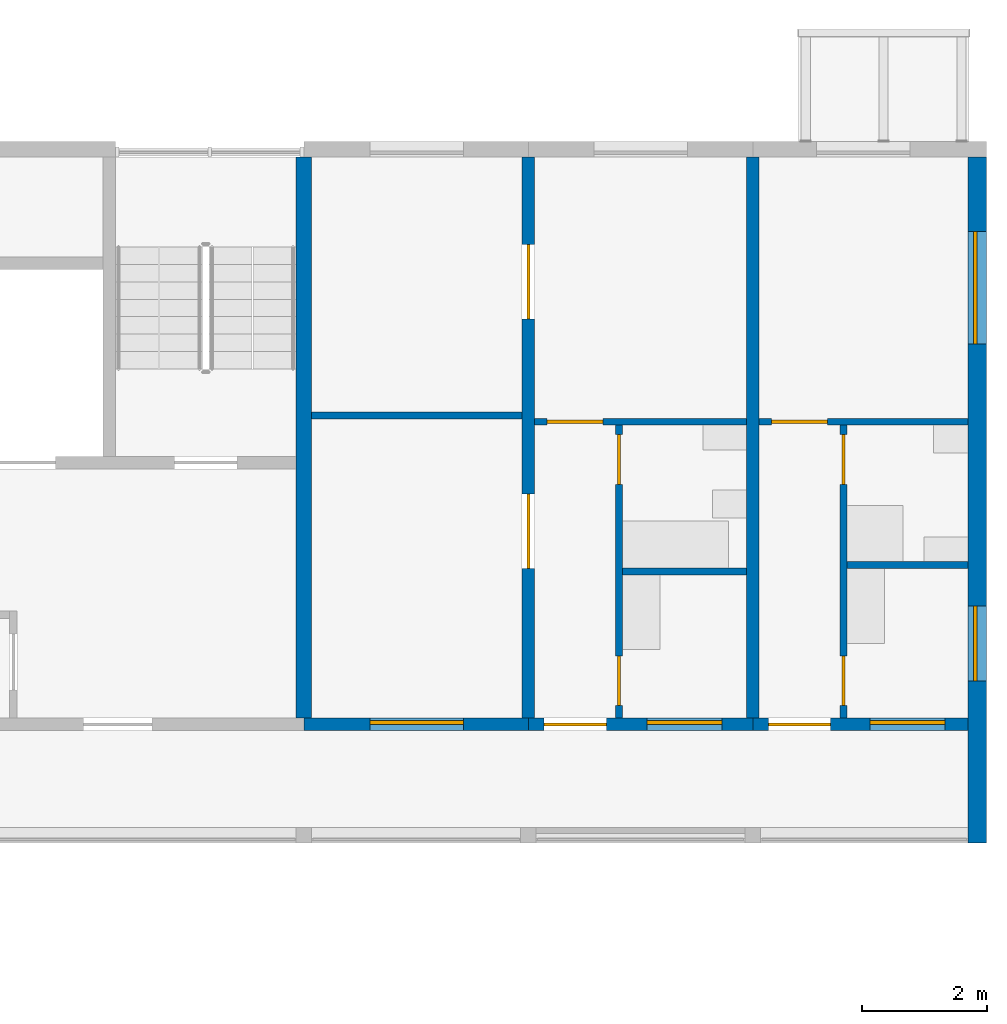
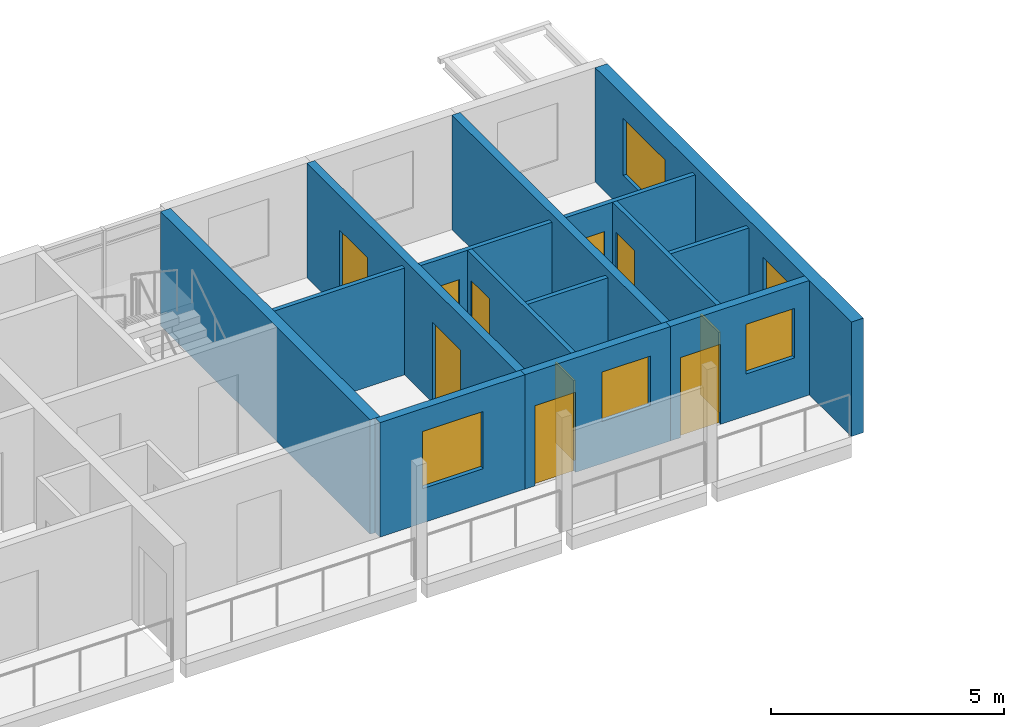
# One storey, part 58 of 98: 14 walls, 10 doors, 5 windows, 15 openings.
"""IFC4 building model written with IfcOpenShell, lengths in metres."""

from ifc_helpers import new_model, si_unit, direction, frame, frame_2d, origin, place, context, subcontext, project, spatial, rectangle, extrude, material, layer, layer_set, type_object, element, fill, save


model = new_model("IFC4")

# Units and contexts
model_context = context("Model", 3, precision=1e-05, world=origin(), true_north=direction((0.0, 1.0)))
body_context = subcontext(model_context, "Body", "Model", "MODEL_VIEW")
ifc_project = project(units=[si_unit("LENGTHUNIT", "METRE"), si_unit("AREAUNIT", "SQUARE_METRE"), si_unit("VOLUMEUNIT", "CUBIC_METRE"), si_unit("PLANEANGLEUNIT", "RADIAN"), si_unit("MASSUNIT", "GRAM", prefix="KILO")], contexts=[model_context])

# Site, building, storey
site_placement = place(None, origin())
site = spatial("IfcSite", under=ifc_project, at=site_placement, CompositionType="ELEMENT")
building_placement = place(site_placement, origin())
building = spatial("IfcBuilding", under=site, at=building_placement, Name="Ridgestep Commons", CompositionType="ELEMENT")
storey_placement = place(building_placement, frame((0.0, 0.0, 12.0)))
storey = spatial("IfcBuildingStorey", under=building, at=storey_placement, Name="L04", CompositionType="ELEMENT", Elevation=12.0)

# Wall
ifc_material_1 = material(Name="Concrete C30/37", Category="concrete")
ifc_layer_1 = layer(ifc_material_1, 0.25)
ifc_layer_set_1 = layer_set([ifc_layer_1], Name="Core cross wall 250")
wall_type_1 = type_object("IfcWallType", Name="Core cross wall 250", PredefinedType="SHEAR", material=ifc_layer_set_1)
wall_1_placement = place(storey_placement, frame((236.800048828125, 68.0, 0.0), z_axis=(0.0, 0.0, 1.0), x_axis=(0.0, 1.0, 0.0)))
element("IfcWall", 1, at=wall_1_placement, inside=storey, type_object=wall_type_1, Name="Cross wall C-04-2368", PredefinedType="SHEAR", context=body_context, shape_type="SweptSolid", body=[
    extrude(rectangle(XDim=9.0, YDim=0.25, at=frame_2d((4.5, 0.0))), origin(), (0.0, 0.0, 1.0), 3.0),
])

# Wall, openings, doors
ifc_material_2 = material(Name="Precast concrete C40/50", Category="concrete")
ifc_layer_2 = layer(ifc_material_2, 0.199951171875)
ifc_layer_set_2 = layer_set([ifc_layer_2], Name="Cross wall 200")
wall_type_2 = type_object("IfcWallType", Name="Cross wall 200", PredefinedType="SHEAR", material=ifc_layer_set_2)
wall_2_placement = place(storey_placement, frame((240.39990234375, 68.0, 0.0), z_axis=(0.0, 0.0, 1.0), x_axis=(0.0, 1.0, 0.0)))
wall_2 = element("IfcWall", 2, at=wall_2_placement, inside=storey, type_object=wall_type_2, Name="Cross wall C-04-2404", PredefinedType="SHEAR", context=body_context, shape_type="SweptSolid", body=[
    extrude(rectangle(XDim=9.0, YDim=0.199951171875, at=frame_2d((4.5, 0.0))), origin(), (0.0, 0.0, 1.0), 3.0),
])
opening_1_placement = place(wall_2_placement, frame((2.39990234375, 0.0, 0.0)))
opening_1 = element("IfcOpeningElement", 3, at=opening_1_placement, cuts=wall_2, Name="Opening C6-04b/5", PredefinedType="OPENING", context=body_context, shape_type="SweptSolid", body=[
    extrude(rectangle(XDim=1.199951171875, YDim=2.10009765625, at=frame_2d((0.60009765625, 1.050048828125))), frame((0.0, 0.10986328125, 0.0), z_axis=(0.0, -1.0, 0.0), x_axis=(1.0, 0.0, 0.0)), (0.0, 0.0, 1.0), 0.219970703125),
])
opening_2_placement = place(wall_2_placement, frame((6.39990234375, 0.0, 0.0)))
opening_2 = element("IfcOpeningElement", 4, at=opening_2_placement, cuts=wall_2, Name="Opening C6-04b/6", PredefinedType="OPENING", context=body_context, shape_type="SweptSolid", body=[
    extrude(rectangle(XDim=1.199951171875, YDim=2.10009765625, at=frame_2d((0.60009765625, 1.050048828125))), frame((0.0, 0.10986328125, 0.0), z_axis=(0.0, -1.0, 0.0), x_axis=(1.0, 0.0, 0.0)), (0.0, 0.0, 1.0), 0.219970703125),
])
ifc_material_3 = material(Name="Timber door leaf", Category="wood")
door_type_1 = type_object("IfcDoorType", Name="Double door 1200 x 2100", OperationType="DOUBLE_DOOR_SINGLE_SWING", PredefinedType="DOOR", material=ifc_material_3)
door_1_placement = place(opening_1_placement, origin())
door_1 = element("IfcDoor", 5, at=door_1_placement, inside=storey, type_object=door_type_1, Name="Double door C6-04b/5", OperationType="DOUBLE_DOOR_SINGLE_SWING", OverallHeight=2.10009765625, OverallWidth=1.199951171875, PredefinedType="DOOR", context=body_context, shape_type="SweptSolid", body=[
    extrude(rectangle(XDim=1.199951171875, YDim=2.10009765625, at=frame_2d((0.60009765625, 1.050048828125))), frame((0.0, 0.02490234375, 0.0), z_axis=(0.0, -1.0, 0.0), x_axis=(1.0, 0.0, 0.0)), (0.0, 0.0, 1.0), 0.050048828125),
])
fill(opening_1, door_1)
door_2_placement = place(opening_2_placement, origin())
door_2 = element("IfcDoor", 6, at=door_2_placement, inside=storey, type_object=door_type_1, Name="Double door C6-04b/6", OperationType="DOUBLE_DOOR_SINGLE_SWING", OverallHeight=2.10009765625, OverallWidth=1.199951171875, PredefinedType="DOOR", context=body_context, shape_type="SweptSolid", body=[
    extrude(rectangle(XDim=1.199951171875, YDim=2.10009765625, at=frame_2d((0.60009765625, 1.050048828125))), frame((0.0, 0.02490234375, 0.0), z_axis=(0.0, -1.0, 0.0), x_axis=(1.0, 0.0, 0.0)), (0.0, 0.0, 1.0), 0.050048828125),
])
fill(opening_2, door_2)

# Wall
wall_3_placement = place(storey_placement, frame((244.0, 68.0, 0.0), z_axis=(0.0, 0.0, 1.0), x_axis=(0.0, 1.0, 0.0)))
element("IfcWall", 7, at=wall_3_placement, inside=storey, type_object=wall_type_2, Name="Cross wall C-04-2440", PredefinedType="SHEAR", context=body_context, shape_type="SweptSolid", body=[
    extrude(rectangle(XDim=9.0, YDim=0.199951171875, at=frame_2d((4.5, 0.0))), origin(), (0.0, 0.0, 1.0), 3.0),
])

# Wall, openings, windows
ifc_material_4 = material(Name="Precast concrete C40/50", Category="concrete")
ifc_layer_3 = layer(ifc_material_4, 0.300048828125)
ifc_layer_set_3 = layer_set([ifc_layer_3], Name="Exposed division wall 300")
wall_type_3 = type_object("IfcWallType", Name="Exposed division wall 300", PredefinedType="SHEAR", material=ifc_layer_set_3)
wall_4_placement = place(storey_placement, frame((247.60009765625, 66.0, 0.0), z_axis=(0.0, 0.0, 1.0), x_axis=(0.0, 1.0, 0.0)))
wall_4 = element("IfcWall", 8, at=wall_4_placement, inside=storey, type_object=wall_type_3, Name="Cross wall C-04-2476", PredefinedType="SHEAR", context=body_context, shape_type="SweptSolid", body=[
    extrude(rectangle(XDim=11.0, YDim=0.300048828125, at=frame_2d((5.5, 0.0))), origin(), (0.0, 0.0, 1.0), 3.0),
])
opening_3_placement = place(wall_4_placement, frame((2.60009765625, 0.0, 0.89990234375)))
opening_3 = element("IfcOpeningElement", 9, at=opening_3_placement, cuts=wall_4, Name="Opening W10", PredefinedType="OPENING", context=body_context, shape_type="SweptSolid", body=[
    extrude(rectangle(XDim=1.199951171875, YDim=1.5, at=frame_2d((0.60009765625, 0.75))), frame((0.0, 0.159912109375, 0.0), z_axis=(0.0, -1.0, 0.0), x_axis=(1.0, 0.0, 0.0)), (0.0, 0.0, 1.0), 0.320068359375),
])
opening_4_placement = place(wall_4_placement, frame((8.0048828125, 0.0, 0.89990234375)))
opening_4 = element("IfcOpeningElement", 10, at=opening_4_placement, cuts=wall_4, Name="Opening W20", PredefinedType="OPENING", context=body_context, shape_type="SweptSolid", body=[
    extrude(rectangle(XDim=1.800048828125, YDim=1.5, at=frame_2d((0.89990234375, 0.75))), frame((0.0, 0.159912109375, 0.0), z_axis=(0.0, -1.0, 0.0), x_axis=(1.0, 0.0, 0.0)), (0.0, 0.0, 1.0), 0.320068359375),
])
ifc_material_5 = material(Name="Aluminium 6063-T6 and glass", Category="aluminium")
window_type_1 = type_object("IfcWindowType", Name="Flat window 1200 x 1500", PartitioningType="SINGLE_PANEL", PredefinedType="WINDOW", material=ifc_material_5)
window_1_placement = place(opening_3_placement, origin())
window_1 = element("IfcWindow", 11, at=window_1_placement, inside=storey, type_object=window_type_1, Name="Window C6-04a 3", OverallHeight=1.5, OverallWidth=1.199951171875, PartitioningType="SINGLE_PANEL", PredefinedType="WINDOW", context=body_context, shape_type="SweptSolid", body=[
    extrude(rectangle(XDim=1.199951171875, YDim=1.5, at=frame_2d((0.60009765625, 0.75))), frame((0.0, 0.06005859375, 0.0), z_axis=(0.0, -1.0, 0.0), x_axis=(1.0, 0.0, 0.0)), (0.0, 0.0, 1.0), 0.06005859375),
])
fill(opening_3, window_1)
ifc_material_6 = material(Name="Aluminium 6063-T6 and glass", Category="aluminium")
window_type_2 = type_object("IfcWindowType", Name="Flat window 1800 x 1500", PartitioningType="DOUBLE_PANEL_VERTICAL", PredefinedType="WINDOW", material=ifc_material_6)
window_2_placement = place(opening_4_placement, origin())
window_2 = element("IfcWindow", 12, at=window_2_placement, inside=storey, type_object=window_type_2, Name="Window C6-04a 4", OverallHeight=1.5, OverallWidth=1.800048828125, PartitioningType="SINGLE_PANEL", PredefinedType="WINDOW", context=body_context, shape_type="SweptSolid", body=[
    extrude(rectangle(XDim=1.800048828125, YDim=1.5, at=frame_2d((0.89990234375, 0.75))), frame((0.0, 0.06005859375, 0.0), z_axis=(0.0, -1.0, 0.0), x_axis=(1.0, 0.0, 0.0)), (0.0, 0.0, 1.0), 0.06005859375),
])
fill(opening_4, window_2)

# Wall, openings, doors
ifc_material_7 = material(Name="Common brick 110 mm", Category="masonry")
ifc_layer_4 = layer(ifc_material_7, 0.110107421875)
ifc_layer_set_4 = layer_set([ifc_layer_4], Name="Partition 110")
wall_type_4 = type_object("IfcWallType", Name="Partition 110", PredefinedType="PARTITIONING", material=ifc_layer_set_4)
wall_5_placement = place(storey_placement, frame((245.455078125, 68.0, 0.0), z_axis=(0.0, 0.0, 1.0), x_axis=(0.0, 1.0, 0.0)))
wall_5 = element("IfcWall", 13, at=wall_5_placement, inside=storey, type_object=wall_type_4, Name="Partition C6-04a", PredefinedType="PARTITIONING", context=body_context, shape_type="SweptSolid", body=[
    extrude(rectangle(XDim=4.699951171875, YDim=0.110107421875, at=frame_2d((2.35009765625, 0.0))), origin(), (0.0, 0.0, 1.0), 2.800048828125),
])
opening_5_placement = place(wall_5_placement, frame((0.199951171875, 0.0, 0.0)))
opening_5 = element("IfcOpeningElement", 14, at=opening_5_placement, cuts=wall_5, Name="Opening C6-04a/2", PredefinedType="OPENING", context=body_context, shape_type="SweptSolid", body=[
    extrude(rectangle(XDim=0.800048828125, YDim=2.10009765625, at=frame_2d((0.39990234375, 1.050048828125))), frame((0.0, 0.06494140625, 0.0), z_axis=(0.0, -1.0, 0.0), x_axis=(1.0, 0.0, 0.0)), (0.0, 0.0, 1.0), 0.130126953125),
])
opening_6_placement = place(wall_5_placement, frame((3.75, 0.0, 0.0)))
opening_6 = element("IfcOpeningElement", 15, at=opening_6_placement, cuts=wall_5, Name="Opening C6-04a/3", PredefinedType="OPENING", context=body_context, shape_type="SweptSolid", body=[
    extrude(rectangle(XDim=0.800048828125, YDim=2.10009765625, at=frame_2d((0.39990234375, 1.050048828125))), frame((0.0, 0.06494140625, 0.0), z_axis=(0.0, -1.0, 0.0), x_axis=(1.0, 0.0, 0.0)), (0.0, 0.0, 1.0), 0.130126953125),
])
ifc_material_8 = material(Name="Timber door leaf", Category="wood")
door_type_2 = type_object("IfcDoorType", Name="Internal door 800 x 2100", OperationType="NOTDEFINED", PredefinedType="DOOR", material=ifc_material_8)
door_3_placement = place(opening_5_placement, origin())
door_3 = element("IfcDoor", 16, at=door_3_placement, inside=storey, type_object=door_type_2, Name="Internal door C6-04a/2", OperationType="SINGLE_SWING_RIGHT", OverallHeight=2.10009765625, OverallWidth=0.800048828125, PredefinedType="DOOR", context=body_context, shape_type="SweptSolid", body=[
    extrude(rectangle(XDim=0.800048828125, YDim=2.10009765625, at=frame_2d((0.39990234375, 1.050048828125))), frame((0.0, 0.02490234375, 0.0), z_axis=(0.0, -1.0, 0.0), x_axis=(1.0, 0.0, 0.0)), (0.0, 0.0, 1.0), 0.050048828125),
])
fill(opening_5, door_3)
door_4_placement = place(opening_6_placement, origin())
door_4 = element("IfcDoor", 17, at=door_4_placement, inside=storey, type_object=door_type_2, Name="Internal door C6-04a/3", OperationType="SINGLE_SWING_LEFT", OverallHeight=2.10009765625, OverallWidth=0.800048828125, PredefinedType="DOOR", context=body_context, shape_type="SweptSolid", body=[
    extrude(rectangle(XDim=0.800048828125, YDim=2.10009765625, at=frame_2d((0.39990234375, 1.050048828125))), frame((0.0, 0.02490234375, 0.0), z_axis=(0.0, -1.0, 0.0), x_axis=(1.0, 0.0, 0.0)), (0.0, 0.0, 1.0), 0.050048828125),
])
fill(opening_6, door_4)

# Wall
wall_6_placement = place(storey_placement, frame((245.510009765625, 70.455078125, 0.0), z_axis=(0.0, 0.0, 1.0), x_axis=(1.0, 0.0, 0.0)))
element("IfcWall", 18, at=wall_6_placement, inside=storey, type_object=wall_type_4, Name="Partition C6-04a", PredefinedType="PARTITIONING", context=body_context, shape_type="SweptSolid", body=[
    extrude(rectangle(XDim=1.93994140625, YDim=0.110107421875, at=frame_2d((0.969970703125, 0.0))), origin(), (0.0, 0.0, 1.0), 2.800048828125),
])

# Wall, opening, door
wall_7_placement = place(storey_placement, frame((244.10009765625, 72.7548828125, 0.0), z_axis=(0.0, 0.0, 1.0), x_axis=(1.0, 0.0, 0.0)))
wall_7 = element("IfcWall", 19, at=wall_7_placement, inside=storey, type_object=wall_type_4, Name="Partition C6-04a", PredefinedType="PARTITIONING", context=body_context, shape_type="SweptSolid", body=[
    extrude(rectangle(XDim=3.349853515625, YDim=0.110107421875, at=frame_2d((1.6748046875, 0.0))), origin(), (0.0, 0.0, 1.0), 2.800048828125),
])
opening_7_placement = place(wall_7_placement, frame((0.199951171875, 0.0, 0.0)))
opening_7 = element("IfcOpeningElement", 20, at=opening_7_placement, cuts=wall_7, Name="Opening C6-04a/4", PredefinedType="OPENING", context=body_context, shape_type="SweptSolid", body=[
    extrude(rectangle(XDim=0.89990234375, YDim=2.10009765625, at=frame_2d((0.449951171875, 1.050048828125))), frame((0.0, 0.06494140625, 0.0), z_axis=(0.0, -1.0, 0.0), x_axis=(1.0, 0.0, 0.0)), (0.0, 0.0, 1.0), 0.130126953125),
])
ifc_material_9 = material(Name="Timber door leaf", Category="wood")
door_type_3 = type_object("IfcDoorType", Name="Internal door 900 x 2100", OperationType="NOTDEFINED", PredefinedType="DOOR", material=ifc_material_9)
door_5_placement = place(opening_7_placement, origin())
door_5 = element("IfcDoor", 21, at=door_5_placement, inside=storey, type_object=door_type_3, Name="Internal door C6-04a/4", OperationType="SINGLE_SWING_LEFT", OverallHeight=2.10009765625, OverallWidth=0.89990234375, PredefinedType="DOOR", context=body_context, shape_type="SweptSolid", body=[
    extrude(rectangle(XDim=0.89990234375, YDim=2.10009765625, at=frame_2d((0.449951171875, 1.050048828125))), frame((0.0, 0.02490234375, 0.0), z_axis=(0.0, -1.0, 0.0), x_axis=(1.0, 0.0, 0.0)), (0.0, 0.0, 1.0), 0.050048828125),
])
fill(opening_7, door_5)

# Wall, openings, doors
wall_8_placement = place(storey_placement, frame((241.85498046875, 68.0, 0.0), z_axis=(0.0, 0.0, 1.0), x_axis=(0.0, 1.0, 0.0)))
wall_8 = element("IfcWall", 22, at=wall_8_placement, inside=storey, type_object=wall_type_4, Name="Partition C6-04b", PredefinedType="PARTITIONING", context=body_context, shape_type="SweptSolid", body=[
    extrude(rectangle(XDim=4.699951171875, YDim=0.110107421875, at=frame_2d((2.35009765625, 0.0))), origin(), (0.0, 0.0, 1.0), 2.800048828125),
])
opening_8_placement = place(wall_8_placement, frame((0.199951171875, 0.0, 0.0)))
opening_8 = element("IfcOpeningElement", 23, at=opening_8_placement, cuts=wall_8, Name="Opening C6-04b/2", PredefinedType="OPENING", context=body_context, shape_type="SweptSolid", body=[
    extrude(rectangle(XDim=0.800048828125, YDim=2.10009765625, at=frame_2d((0.39990234375, 1.050048828125))), frame((0.0, 0.06494140625, 0.0), z_axis=(0.0, -1.0, 0.0), x_axis=(1.0, 0.0, 0.0)), (0.0, 0.0, 1.0), 0.130126953125),
])
opening_9_placement = place(wall_8_placement, frame((3.75, 0.0, 0.0)))
opening_9 = element("IfcOpeningElement", 24, at=opening_9_placement, cuts=wall_8, Name="Opening C6-04b/3", PredefinedType="OPENING", context=body_context, shape_type="SweptSolid", body=[
    extrude(rectangle(XDim=0.800048828125, YDim=2.10009765625, at=frame_2d((0.39990234375, 1.050048828125))), frame((0.0, 0.06494140625, 0.0), z_axis=(0.0, -1.0, 0.0), x_axis=(1.0, 0.0, 0.0)), (0.0, 0.0, 1.0), 0.130126953125),
])
door_6_placement = place(opening_8_placement, origin())
door_6 = element("IfcDoor", 25, at=door_6_placement, inside=storey, type_object=door_type_2, Name="Internal door C6-04b/2", OperationType="SINGLE_SWING_RIGHT", OverallHeight=2.10009765625, OverallWidth=0.800048828125, PredefinedType="DOOR", context=body_context, shape_type="SweptSolid", body=[
    extrude(rectangle(XDim=0.800048828125, YDim=2.10009765625, at=frame_2d((0.39990234375, 1.050048828125))), frame((0.0, 0.02490234375, 0.0), z_axis=(0.0, -1.0, 0.0), x_axis=(1.0, 0.0, 0.0)), (0.0, 0.0, 1.0), 0.050048828125),
])
fill(opening_8, door_6)
door_7_placement = place(opening_9_placement, origin())
door_7 = element("IfcDoor", 26, at=door_7_placement, inside=storey, type_object=door_type_2, Name="Internal door C6-04b/3", OperationType="SINGLE_SWING_LEFT", OverallHeight=2.10009765625, OverallWidth=0.800048828125, PredefinedType="DOOR", context=body_context, shape_type="SweptSolid", body=[
    extrude(rectangle(XDim=0.800048828125, YDim=2.10009765625, at=frame_2d((0.39990234375, 1.050048828125))), frame((0.0, 0.02490234375, 0.0), z_axis=(0.0, -1.0, 0.0), x_axis=(1.0, 0.0, 0.0)), (0.0, 0.0, 1.0), 0.050048828125),
])
fill(opening_9, door_7)

# Wall
wall_9_placement = place(storey_placement, frame((241.909912109375, 70.35498046875, 0.0), z_axis=(0.0, 0.0, 1.0), x_axis=(1.0, 0.0, 0.0)))
element("IfcWall", 27, at=wall_9_placement, inside=storey, type_object=wall_type_4, Name="Partition C6-04b", PredefinedType="PARTITIONING", context=body_context, shape_type="SweptSolid", body=[
    extrude(rectangle(XDim=1.989990234375, YDim=0.110107421875, at=frame_2d((0.9951171875, 0.0))), origin(), (0.0, 0.0, 1.0), 2.800048828125),
])

# Wall, opening, door
wall_10_placement = place(storey_placement, frame((240.5, 72.7548828125, 0.0), z_axis=(0.0, 0.0, 1.0), x_axis=(1.0, 0.0, 0.0)))
wall_10 = element("IfcWall", 28, at=wall_10_placement, inside=storey, type_object=wall_type_4, Name="Partition C6-04b", PredefinedType="PARTITIONING", context=body_context, shape_type="SweptSolid", body=[
    extrude(rectangle(XDim=3.39990234375, YDim=0.110107421875, at=frame_2d((1.699951171875, 0.0))), origin(), (0.0, 0.0, 1.0), 2.800048828125),
])
opening_10_placement = place(wall_10_placement, frame((0.199951171875, 0.0, 0.0)))
opening_10 = element("IfcOpeningElement", 29, at=opening_10_placement, cuts=wall_10, Name="Opening C6-04b/4", PredefinedType="OPENING", context=body_context, shape_type="SweptSolid", body=[
    extrude(rectangle(XDim=0.89990234375, YDim=2.10009765625, at=frame_2d((0.449951171875, 1.050048828125))), frame((0.0, 0.06494140625, 0.0), z_axis=(0.0, -1.0, 0.0), x_axis=(1.0, 0.0, 0.0)), (0.0, 0.0, 1.0), 0.130126953125),
])
door_8_placement = place(opening_10_placement, origin())
door_8 = element("IfcDoor", 30, at=door_8_placement, inside=storey, type_object=door_type_3, Name="Internal door C6-04b/4", OperationType="SINGLE_SWING_LEFT", OverallHeight=2.10009765625, OverallWidth=0.89990234375, PredefinedType="DOOR", context=body_context, shape_type="SweptSolid", body=[
    extrude(rectangle(XDim=0.89990234375, YDim=2.10009765625, at=frame_2d((0.449951171875, 1.050048828125))), frame((0.0, 0.02490234375, 0.0), z_axis=(0.0, -1.0, 0.0), x_axis=(1.0, 0.0, 0.0)), (0.0, 0.0, 1.0), 0.050048828125),
])
fill(opening_10, door_8)

# Wall
wall_11_placement = place(storey_placement, frame((236.925048828125, 72.85498046875, 0.0), z_axis=(0.0, 0.0, 1.0), x_axis=(1.0, 0.0, 0.0)))
element("IfcWall", 31, at=wall_11_placement, inside=storey, type_object=wall_type_4, Name="Partition C6-04b", PredefinedType="PARTITIONING", context=body_context, shape_type="SweptSolid", body=[
    extrude(rectangle(XDim=3.375, YDim=0.110107421875, at=frame_2d((1.6875, 0.0))), origin(), (0.0, 0.0, 1.0), 2.800048828125),
])

# Wall, opening, window
ifc_material_10 = material(Name="Precast concrete C40/50", Category="concrete")
ifc_layer_5 = layer(ifc_material_10, 0.199951171875)
ifc_layer_set_5 = layer_set([ifc_layer_5], Name="South facade panel 200")
wall_type_5 = type_object("IfcWallType", Name="South facade panel 200", PredefinedType="SOLIDWALL", material=ifc_layer_set_5)
wall_12_placement = place(storey_placement, frame((236.800048828125, 67.89990234375, 0.0), z_axis=(0.0, 0.0, 1.0), x_axis=(1.0, 0.0, 0.0)))
wall_12 = element("IfcWall", 32, at=wall_12_placement, inside=storey, type_object=wall_type_5, Name="South panel C6T3 L04", PredefinedType="SOLIDWALL", context=body_context, shape_type="SweptSolid", body=[
    extrude(rectangle(XDim=3.599853515625, YDim=0.199951171875, at=frame_2d((1.7998046875, 0.0))), origin(), (0.0, 0.0, 1.0), 3.0),
])
opening_11_placement = place(wall_12_placement, frame((1.0625, 0.0, 0.89990234375)))
opening_11 = element("IfcOpeningElement", 33, at=opening_11_placement, cuts=wall_12, Name="Opening W16", PredefinedType="OPENING", context=body_context, shape_type="SweptSolid", body=[
    extrude(rectangle(XDim=1.5, YDim=1.5, at=frame_2d((0.75, 0.75))), frame((0.0, 0.10986328125, 0.0), z_axis=(0.0, -1.0, 0.0), x_axis=(1.0, 0.0, 0.0)), (0.0, 0.0, 1.0), 0.219970703125),
])
ifc_material_11 = material(Name="Aluminium 6063-T6 and glass", Category="aluminium")
window_type_3 = type_object("IfcWindowType", Name="Flat window 1500 x 1500", PartitioningType="DOUBLE_PANEL_VERTICAL", PredefinedType="WINDOW", material=ifc_material_11)
window_3_placement = place(opening_11_placement, origin())
window_3 = element("IfcWindow", 34, at=window_3_placement, inside=storey, type_object=window_type_3, Name="Window C6-04b 1", OverallHeight=1.5, OverallWidth=1.5, PartitioningType="SINGLE_PANEL", PredefinedType="WINDOW", context=body_context, shape_type="SweptSolid", body=[
    extrude(rectangle(XDim=1.5, YDim=1.5, at=frame_2d((0.75, 0.75))), frame((0.0, 0.06005859375, 0.0), z_axis=(0.0, -1.0, 0.0), x_axis=(1.0, 0.0, 0.0)), (0.0, 0.0, 1.0), 0.06005859375),
])
fill(opening_11, window_3)

# Wall, openings, door, window
wall_13_placement = place(storey_placement, frame((240.39990234375, 67.89990234375, 0.0), z_axis=(0.0, 0.0, 1.0), x_axis=(1.0, 0.0, 0.0)))
wall_13 = element("IfcWall", 35, at=wall_13_placement, inside=storey, type_object=wall_type_5, Name="South panel C6T2 L04", PredefinedType="SOLIDWALL", context=body_context, shape_type="SweptSolid", body=[
    extrude(rectangle(XDim=3.60009765625, YDim=0.199951171875, at=frame_2d((1.800048828125, 0.0))), origin(), (0.0, 0.0, 1.0), 3.0),
])
opening_12_placement = place(wall_13_placement, frame((1.905029296875, 0.0, 1.10009765625)))
opening_12 = element("IfcOpeningElement", 36, at=opening_12_placement, cuts=wall_13, Name="Opening W08", PredefinedType="OPENING", context=body_context, shape_type="SweptSolid", body=[
    extrude(rectangle(XDim=1.199951171875, YDim=1.300048828125, at=frame_2d((0.60009765625, 0.64990234375))), frame((0.0, 0.10986328125, 0.0), z_axis=(0.0, -1.0, 0.0), x_axis=(1.0, 0.0, 0.0)), (0.0, 0.0, 1.0), 0.219970703125),
])
opening_13_placement = place(wall_13_placement, frame((0.25, 0.0, 0.0)))
opening_13 = element("IfcOpeningElement", 37, at=opening_13_placement, cuts=wall_13, Name="Opening C6-04b/1", PredefinedType="OPENING", context=body_context, shape_type="SweptSolid", body=[
    extrude(rectangle(XDim=1.0, YDim=2.10009765625, at=frame_2d((0.5, 1.050048828125))), frame((0.0, 0.10986328125, 0.0), z_axis=(0.0, -1.0, 0.0), x_axis=(1.0, 0.0, 0.0)), (0.0, 0.0, 1.0), 0.219970703125),
])
ifc_material_12 = material(Name="Timber door leaf", Category="wood")
door_type_4 = type_object("IfcDoorType", Name="Flat entrance door 1000 x 2100 FD30S", OperationType="NOTDEFINED", PredefinedType="DOOR", material=ifc_material_12)
door_9_placement = place(opening_13_placement, origin())
door_9 = element("IfcDoor", 38, at=door_9_placement, inside=storey, type_object=door_type_4, Name="Flat entrance door C6-04b/1", OperationType="SINGLE_SWING_LEFT", OverallHeight=2.10009765625, OverallWidth=1.0, PredefinedType="DOOR", context=body_context, shape_type="SweptSolid", body=[
    extrude(rectangle(XDim=1.0, YDim=2.10009765625, at=frame_2d((0.5, 1.050048828125))), frame((0.0, 0.02490234375, 0.0), z_axis=(0.0, -1.0, 0.0), x_axis=(1.0, 0.0, 0.0)), (0.0, 0.0, 1.0), 0.050048828125),
])
fill(opening_13, door_9)
ifc_material_13 = material(Name="Aluminium 6063-T6 and glass", Category="aluminium")
window_type_4 = type_object("IfcWindowType", Name="Flat window 1200 x 1300", PartitioningType="SINGLE_PANEL", PredefinedType="WINDOW", material=ifc_material_13)
window_4_placement = place(opening_12_placement, origin())
window_4 = element("IfcWindow", 39, at=window_4_placement, inside=storey, type_object=window_type_4, Name="Window C6-04b 3", OverallHeight=1.300048828125, OverallWidth=1.199951171875, PartitioningType="SINGLE_PANEL", PredefinedType="WINDOW", context=body_context, shape_type="SweptSolid", body=[
    extrude(rectangle(XDim=1.199951171875, YDim=1.300048828125, at=frame_2d((0.60009765625, 0.64990234375))), frame((0.0, 0.06005859375, 0.0), z_axis=(0.0, -1.0, 0.0), x_axis=(1.0, 0.0, 0.0)), (0.0, 0.0, 1.0), 0.06005859375),
])
fill(opening_12, window_4)

wall_14_placement = place(storey_placement, frame((244.0, 67.89990234375, 0.0), z_axis=(0.0, 0.0, 1.0), x_axis=(1.0, 0.0, 0.0)))
wall_14 = element("IfcWall", 40, at=wall_14_placement, inside=storey, type_object=wall_type_5, Name="South panel C6T1 L04", PredefinedType="SOLIDWALL", context=body_context, shape_type="SweptSolid", body=[
    extrude(rectangle(XDim=3.449951171875, YDim=0.199951171875, at=frame_2d((1.72509765625, 0.0))), origin(), (0.0, 0.0, 1.0), 3.0),
])
opening_14_placement = place(wall_14_placement, frame((1.8798828125, 0.0, 1.10009765625)))
opening_14 = element("IfcOpeningElement", 41, at=opening_14_placement, cuts=wall_14, Name="Opening W08", PredefinedType="OPENING", context=body_context, shape_type="SweptSolid", body=[
    extrude(rectangle(XDim=1.199951171875, YDim=1.300048828125, at=frame_2d((0.60009765625, 0.64990234375))), frame((0.0, 0.10986328125, 0.0), z_axis=(0.0, -1.0, 0.0), x_axis=(1.0, 0.0, 0.0)), (0.0, 0.0, 1.0), 0.219970703125),
])
opening_15_placement = place(wall_14_placement, frame((0.25, 0.0, 0.0)))
opening_15 = element("IfcOpeningElement", 42, at=opening_15_placement, cuts=wall_14, Name="Opening C6-04a/1", PredefinedType="OPENING", context=body_context, shape_type="SweptSolid", body=[
    extrude(rectangle(XDim=1.0, YDim=2.10009765625, at=frame_2d((0.5, 1.050048828125))), frame((0.0, 0.10986328125, 0.0), z_axis=(0.0, -1.0, 0.0), x_axis=(1.0, 0.0, 0.0)), (0.0, 0.0, 1.0), 0.219970703125),
])
door_10_placement = place(opening_15_placement, origin())
door_10 = element("IfcDoor", 43, at=door_10_placement, inside=storey, type_object=door_type_4, Name="Flat entrance door C6-04a/1", OperationType="SINGLE_SWING_LEFT", OverallHeight=2.10009765625, OverallWidth=1.0, PredefinedType="DOOR", context=body_context, shape_type="SweptSolid", body=[
    extrude(rectangle(XDim=1.0, YDim=2.10009765625, at=frame_2d((0.5, 1.050048828125))), frame((0.0, 0.02490234375, 0.0), z_axis=(0.0, -1.0, 0.0), x_axis=(1.0, 0.0, 0.0)), (0.0, 0.0, 1.0), 0.050048828125),
])
fill(opening_15, door_10)
window_5_placement = place(opening_14_placement, origin())
window_5 = element("IfcWindow", 44, at=window_5_placement, inside=storey, type_object=window_type_4, Name="Window C6-04a 1", OverallHeight=1.300048828125, OverallWidth=1.199951171875, PartitioningType="SINGLE_PANEL", PredefinedType="WINDOW", context=body_context, shape_type="SweptSolid", body=[
    extrude(rectangle(XDim=1.199951171875, YDim=1.300048828125, at=frame_2d((0.60009765625, 0.64990234375))), frame((0.0, 0.06005859375, 0.0), z_axis=(0.0, -1.0, 0.0), x_axis=(1.0, 0.0, 0.0)), (0.0, 0.0, 1.0), 0.06005859375),
])
fill(opening_14, window_5)

save(model, "model.ifc")
